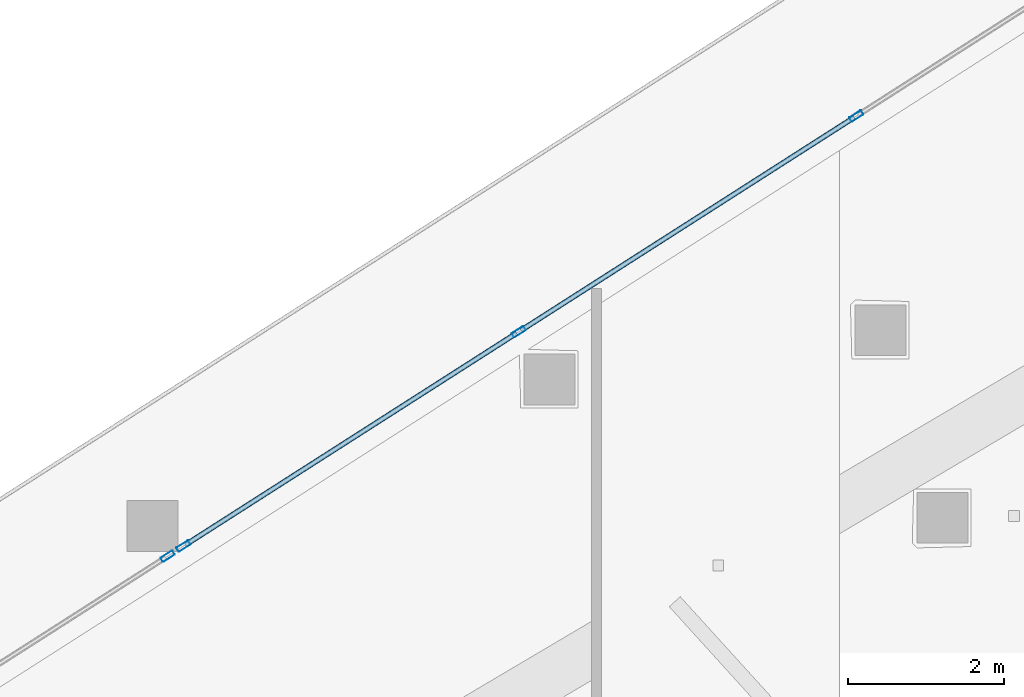
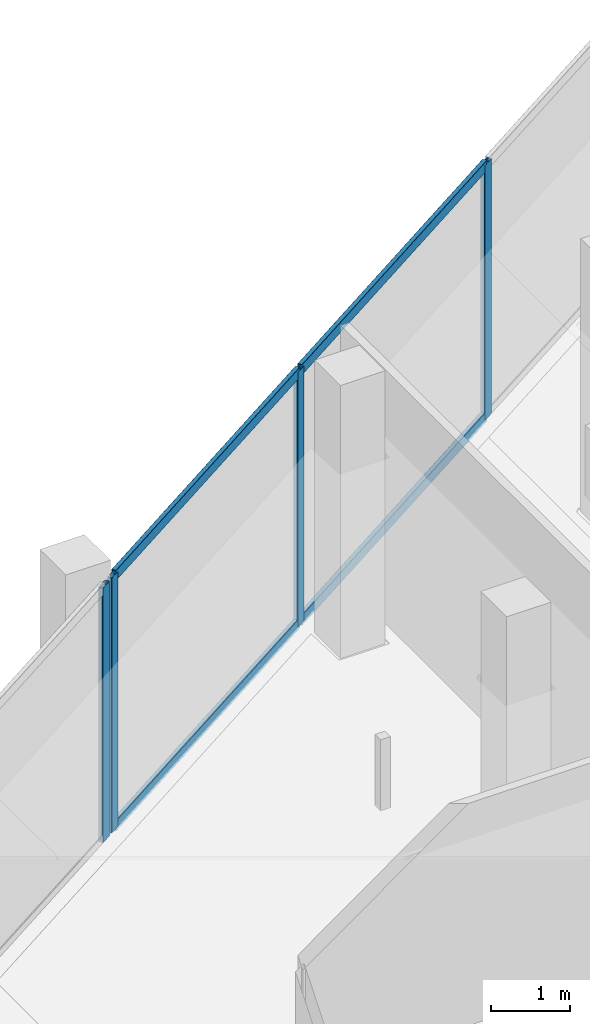
# One storey, part 17 of 44: 8 members, 2 elements without a shape of their own.
"""IFC4 building model written with IfcOpenShell, lengths in metres."""

from ifc_helpers import new_model, si_unit, direction, frame, origin, origin_2d, place, context, subcontext, project, spatial, hollow_rectangle, extrude, material, layer, layer_set, material_profile, profile_set, type_object, element, aggregate, save


model = new_model("IFC4")

# Units and contexts
model_context = context("Model", 3, precision=1e-05, world=origin(), true_north=direction((0.0, 1.0)))
body_context = subcontext(model_context, "Body", "Model", "MODEL_VIEW")
ifc_project = project(units=[si_unit("LENGTHUNIT", "METRE"), si_unit("AREAUNIT", "SQUARE_METRE"), si_unit("VOLUMEUNIT", "CUBIC_METRE"), si_unit("PLANEANGLEUNIT", "RADIAN"), si_unit("MASSUNIT", "GRAM", prefix="KILO")], contexts=[model_context])

# Site, building, storey
site_placement = place(None, origin())
site = spatial("IfcSite", under=ifc_project, at=site_placement, CompositionType="ELEMENT")
building_placement = place(site_placement, origin())
building = spatial("IfcBuilding", under=site, at=building_placement, Name="Qorvath Tower", CompositionType="ELEMENT")
storey_placement = place(building_placement, frame((0.0, 0.0, 70.199951171875)))
storey = spatial("IfcBuildingStorey", under=building, at=storey_placement, Name="L15", CompositionType="ELEMENT", Elevation=70.199951171875)

# Curtain wall, members
ifc_material_1 = material(Name="Anodised aluminium and triple low-E glass", Category="aluminium")
ifc_layer = layer(ifc_material_1, 0.179931640625)
ifc_layer_set = layer_set([ifc_layer], Name="CW-SYS-2")
curtain_wall_type = type_object("IfcCurtainWallType", Name="CW-SYS-2", PredefinedType="NOTDEFINED", material=ifc_layer_set)
curtain_wall_1_placement = place(storey_placement, origin())
curtain_wall_1 = element("IfcCurtainWall", 1, at=curtain_wall_1_placement, inside=storey, type_object=curtain_wall_type, Name="Curtain Wall CW-2 CW-T-L15-16.2", PredefinedType="NOTDEFINED")
ifc_material_2 = material(Name="Anodised aluminium 6063-T6", Category="aluminium")
ifc_material_profile_1 = material_profile(ifc_material_2, hollow_rectangle(XDim=0.06494140625, YDim=0.179931640625, WallThickness=0.00341796875, InnerFilletRadius=0.00341796875, OuterFilletRadius=0.007080078125, at=origin_2d()), Name="CWM 180x65")
ifc_profile_set_1 = profile_set([ifc_material_profile_1], Name="Anodised aluminium 6063-T6")
member_type_1 = type_object("IfcMemberType", Name="CWM-180", PredefinedType="MULLION", material=ifc_profile_set_1)
member_1_placement = place(storey_placement, frame((-31.325439453125, 22.2001953125, 0.0), z_axis=(0.0, 0.0, 1.0), x_axis=(0.538542221685, -0.842598525671, 0.0)))
member_1 = element("IfcMember", 2, at=member_1_placement, type_object=member_type_1, Name="CW-2 mullion 4", PredefinedType="MULLION", context=body_context, shape_type="SweptSolid", body=[
    extrude(hollow_rectangle(XDim=0.06494140625, YDim=0.179931640625, WallThickness=0.00341796875, InnerFilletRadius=0.00341796875, OuterFilletRadius=0.007080078125, at=origin_2d()), origin(), (0.0, 0.0, 1.0), 3.920166015625),
])
member_2_placement = place(storey_placement, frame((-35.64404296875, 19.43994140625, 0.0), z_axis=(0.0, 0.0, 1.0), x_axis=(0.538542221685, -0.842598525671, 0.0)))
member_2 = element("IfcMember", 3, at=member_2_placement, type_object=member_type_1, Name="CW-2 mullion 5", PredefinedType="MULLION", context=body_context, shape_type="SweptSolid", body=[
    extrude(hollow_rectangle(XDim=0.06494140625, YDim=0.179931640625, WallThickness=0.00341796875, InnerFilletRadius=0.00341796875, OuterFilletRadius=0.007080078125, at=origin_2d()), origin(), (0.0, 0.0, 1.0), 3.920166015625),
])
member_3_placement = place(storey_placement, frame((-39.93505859375, 16.697509765625, 0.0), z_axis=(0.0, 0.0, 1.0), x_axis=(0.538542221685, -0.842598525671, 0.0)))
member_3 = element("IfcMember", 4, at=member_3_placement, type_object=member_type_1, Name="CW-2 mullion 6", PredefinedType="MULLION", context=body_context, shape_type="SweptSolid", body=[
    extrude(hollow_rectangle(XDim=0.06494140625, YDim=0.179931640625, WallThickness=0.00341796875, InnerFilletRadius=0.00341796875, OuterFilletRadius=0.007080078125, at=origin_2d()), origin(), (0.0, 0.0, 1.0), 3.920166015625),
])

# Curtain wall, member
curtain_wall_2_placement = place(storey_placement, origin())
curtain_wall_2 = element("IfcCurtainWall", 5, at=curtain_wall_2_placement, inside=storey, type_object=curtain_wall_type, Name="Curtain Wall CW-2 CW-T-L15-16.3", PredefinedType="NOTDEFINED")
member_4_placement = place(storey_placement, frame((-40.136962890625, 16.568115234375, 0.0), z_axis=(0.0, 0.0, 1.0), x_axis=(0.538530641183, -0.842605927173, 0.0)))
member_4 = element("IfcMember", 6, at=member_4_placement, type_object=member_type_1, Name="CW-2 mullion 1", PredefinedType="MULLION", context=body_context, shape_type="SweptSolid", body=[
    extrude(hollow_rectangle(XDim=0.06494140625, YDim=0.179931640625, WallThickness=0.00341796875, InnerFilletRadius=0.00341796875, OuterFilletRadius=0.007080078125, at=origin_2d()), origin(), (0.0, 0.0, 1.0), 3.920166015625),
])
aggregate(curtain_wall_2, [member_4])

# Member
ifc_material_3 = material(Name="Anodised aluminium 6063-T6", Category="aluminium")
ifc_material_profile_2 = material_profile(ifc_material_3, hollow_rectangle(XDim=0.06494140625, YDim=0.159912109375, WallThickness=0.00341796875, InnerFilletRadius=0.00341796875, OuterFilletRadius=0.007080078125, at=origin_2d()), Name="CWT 160x65")
ifc_profile_set_2 = profile_set([ifc_material_profile_2], Name="Anodised aluminium 6063-T6")
member_type_2 = type_object("IfcMemberType", Name="CWT-160", PredefinedType="USERDEFINED", material=ifc_profile_set_2)
member_5_placement = place(storey_placement, frame((-31.352783203125, 22.1826171875, 0.032470703125), z_axis=(-0.842598957411, -0.538541546188, 0.0), x_axis=(0.538541546188, -0.842598957411, 0.0)))
member_5 = element("IfcMember", 7, at=member_5_placement, type_object=member_type_2, Name="CW-2 transom 4.1", ObjectType="TRANSOM", PredefinedType="USERDEFINED", context=body_context, shape_type="SweptSolid", body=[
    extrude(hollow_rectangle(XDim=0.06494140625, YDim=0.159912109375, WallThickness=0.00341796875, InnerFilletRadius=0.00341796875, OuterFilletRadius=0.007080078125, at=origin_2d()), origin(), (0.0, 0.0, 1.0), 5.06005859375),
])

member_6_placement = place(storey_placement, frame((-31.352783203125, 22.1826171875, 3.8876953125), z_axis=(-0.842598957411, -0.538541546188, 0.0), x_axis=(0.538541546188, -0.842598957411, 0.0)))
member_6 = element("IfcMember", 8, at=member_6_placement, type_object=member_type_2, Name="CW-2 transom 4.2", ObjectType="TRANSOM", PredefinedType="USERDEFINED", context=body_context, shape_type="SweptSolid", body=[
    extrude(hollow_rectangle(XDim=0.06494140625, YDim=0.159912109375, WallThickness=0.00341796875, InnerFilletRadius=0.00341796875, OuterFilletRadius=0.007080078125, at=origin_2d()), origin(), (0.0, 0.0, 1.0), 5.06005859375),
])

member_7_placement = place(storey_placement, frame((-35.67138671875, 19.422607421875, 0.032470703125), z_axis=(-0.842586087681, -0.538561681562, 0.0), x_axis=(0.538561681562, -0.842586087681, 0.0)))
member_7 = element("IfcMember", 9, at=member_7_placement, type_object=member_type_2, Name="CW-2 transom 5.1", ObjectType="TRANSOM", PredefinedType="USERDEFINED", context=body_context, shape_type="SweptSolid", body=[
    extrude(hollow_rectangle(XDim=0.06494140625, YDim=0.159912109375, WallThickness=0.00341796875, InnerFilletRadius=0.00341796875, OuterFilletRadius=0.007080078125, at=origin_2d()), origin(), (0.0, 0.0, 1.0), 5.02783203125),
])

member_8_placement = place(storey_placement, frame((-35.67138671875, 19.422607421875, 3.8876953125), z_axis=(-0.842586087681, -0.538561681562, 0.0), x_axis=(0.538561681562, -0.842586087681, 0.0)))
member_8 = element("IfcMember", 10, at=member_8_placement, type_object=member_type_2, Name="CW-2 transom 5.2", ObjectType="TRANSOM", PredefinedType="USERDEFINED", context=body_context, shape_type="SweptSolid", body=[
    extrude(hollow_rectangle(XDim=0.06494140625, YDim=0.159912109375, WallThickness=0.00341796875, InnerFilletRadius=0.00341796875, OuterFilletRadius=0.007080078125, at=origin_2d()), origin(), (0.0, 0.0, 1.0), 5.02783203125),
])

aggregate(curtain_wall_1, [member_1, member_2, member_3, member_5, member_6, member_7, member_8])

save(model, "model.ifc")
